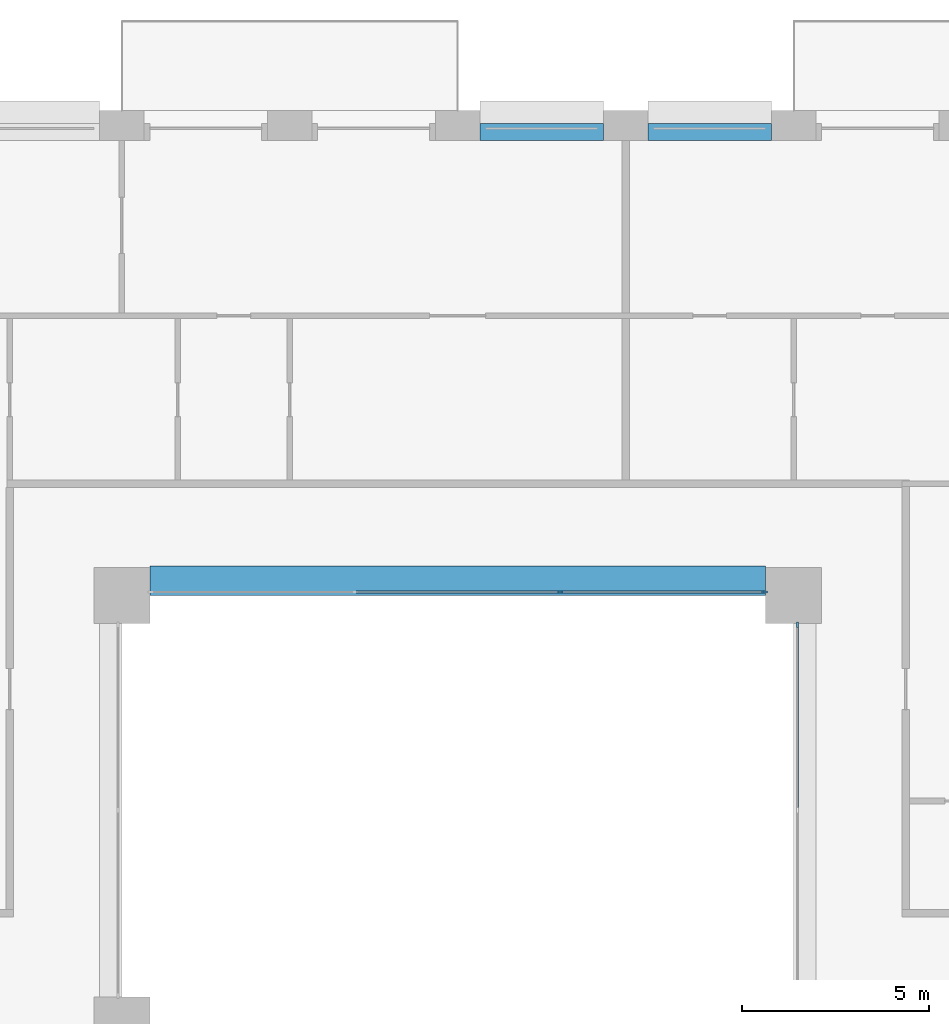
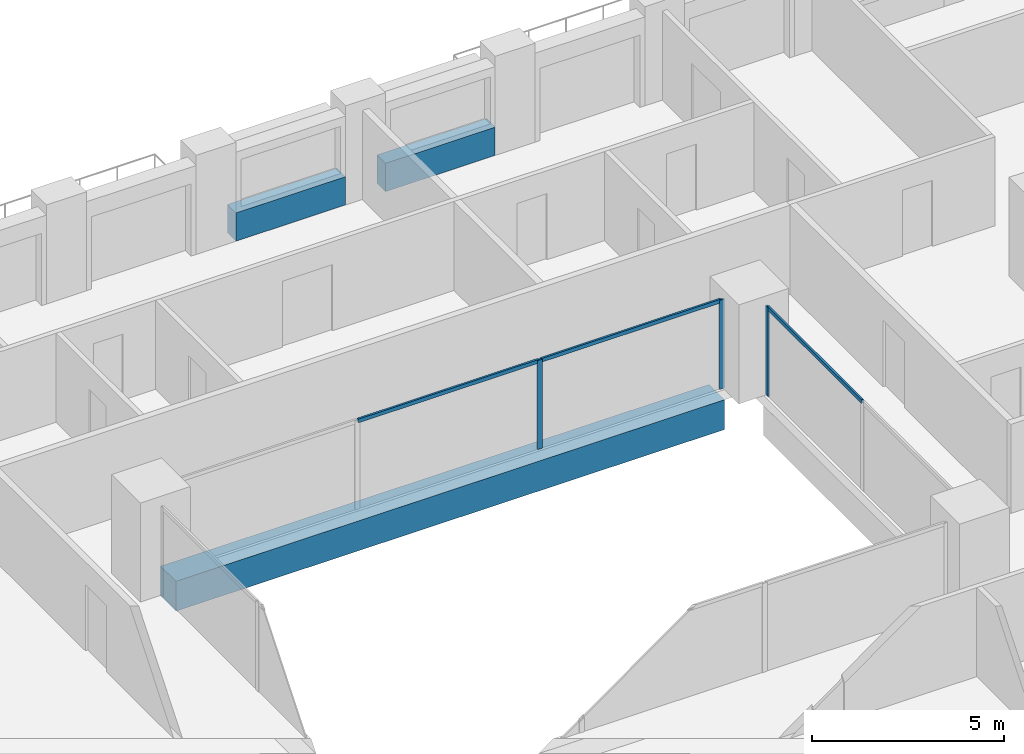
# One storey, part 7 of 19: 6 members, 3 beams, 2 elements without a shape of their own.
"""IFC4 building model written with IfcOpenShell, lengths in metres."""

from ifc_helpers import new_model, si_unit, direction, frame, origin, origin_2d, place, context, subcontext, project, spatial, rectangle, extrude, material, layer, layer_set, material_profile, profile_set, type_object, element, aggregate, save


model = new_model("IFC4")

# Units and contexts
model_context = context("Model", 3, precision=1e-05, world=origin(), true_north=direction((0.0, 1.0)))
body_context = subcontext(model_context, "Body", "Model", "MODEL_VIEW")
ifc_project = project(units=[si_unit("LENGTHUNIT", "METRE"), si_unit("AREAUNIT", "SQUARE_METRE"), si_unit("VOLUMEUNIT", "CUBIC_METRE"), si_unit("PLANEANGLEUNIT", "RADIAN"), si_unit("MASSUNIT", "GRAM", prefix="KILO")], contexts=[model_context])

# Site, building, storey
site_placement = place(None, origin())
site = spatial("IfcSite", under=ifc_project, at=site_placement, CompositionType="ELEMENT")
building_placement = place(site_placement, origin())
building = spatial("IfcBuilding", under=site, at=building_placement, Name="Brigalow Station Residences", CompositionType="ELEMENT")
storey_placement = place(building_placement, frame((0.0, 0.0, 32.10009765625)))
storey = spatial("IfcBuildingStorey", under=building, at=storey_placement, Name="L08", CompositionType="ELEMENT", Elevation=32.10009765625)

# Beam
ifc_material_1 = material(Name="Concrete C65", Category="concrete")
ifc_material_profile_1 = material_profile(ifc_material_1, rectangle(XDim=0.800048828125, YDim=0.949951171875, at=origin_2d()), Name="RC800x950")
ifc_profile_set_1 = profile_set([ifc_material_profile_1], Name="Concrete C65")
beam_type_1 = type_object("IfcBeamType", Name="ATRIUM EDGE GIRDER OVER 13.5 M SPAN 800x950 C65", PredefinedType="BEAM", material=ifc_profile_set_1)
beam_placement = place(storey_placement, frame((27.75, 35.89990234375, -0.795166015625), z_axis=(1.0, 0.0, 0.0), x_axis=(0.0, 1.0, 0.0)))
element("IfcBeam", 1, at=beam_placement, inside=storey, type_object=beam_type_1, Name="ATRIUM EDGE GIRDER D L08", PredefinedType="BEAM", context=body_context, shape_type="SweptSolid", body=[
    extrude(rectangle(XDim=0.800048828125, YDim=0.949951171875, at=origin_2d()), origin(), (0.0, 0.0, 1.0), 16.5),
])

# Curtain wall, member
ifc_material_2 = material(Name="Aluminium", Category="aluminium")
ifc_layer = layer(ifc_material_2, 0.14990234375)
ifc_layer_set = layer_set([ifc_layer], Name="ATRIUM FIRE-RATED GLAZING CURTAIN WALL")
curtain_wall_type = type_object("IfcCurtainWallType", Name="ATRIUM FIRE-RATED GLAZING CURTAIN WALL", PredefinedType="NOTDEFINED", material=ifc_layer_set)
curtain_wall_1_placement = place(storey_placement, origin())
curtain_wall_1 = element("IfcCurtainWall", 2, at=curtain_wall_1_placement, inside=storey, type_object=curtain_wall_type, Name="L08/cw/atrium-E", PredefinedType="NOTDEFINED")
ifc_material_3 = material(Name="Aluminium", Category="aluminium")
ifc_material_profile_2 = material_profile(ifc_material_3, rectangle(XDim=0.06005859375, YDim=0.14990234375, at=origin_2d()), Name="ATRIUM FIRE-RATED GLAZING MULLION 60x150")
ifc_profile_set_2 = profile_set([ifc_material_profile_2], Name="Aluminium")
member_type_1 = type_object("IfcMemberType", Name="ATRIUM FIRE-RATED GLAZING MULLION 60x150", PredefinedType="MULLION", material=ifc_profile_set_2)
member_1_placement = place(storey_placement, frame((45.10009765625, 34.719970703125, 0.0), z_axis=(0.0, 0.0, 1.0), x_axis=(-1.0, 0.0, 0.0)))
member_1 = element("IfcMember", 3, at=member_1_placement, type_object=member_type_1, Name="L08/cw/atrium-E/M02", PredefinedType="MULLION", context=body_context, shape_type="SweptSolid", body=[
    extrude(rectangle(XDim=0.06005859375, YDim=0.14990234375, at=origin_2d()), origin(), (0.0, 0.0, 1.0), 2.829833984375),
])

# Curtain wall, members
curtain_wall_2_placement = place(storey_placement, origin())
curtain_wall_2 = element("IfcCurtainWall", 4, at=curtain_wall_2_placement, inside=storey, type_object=curtain_wall_type, Name="L08/cw/atrium-N", PredefinedType="NOTDEFINED")
member_2_placement = place(storey_placement, frame((44.219970703125, 35.60009765625, 0.0), z_axis=(0.0, 0.0, 1.0), x_axis=(0.0, -1.0, 0.0)))
member_2 = element("IfcMember", 5, at=member_2_placement, type_object=member_type_1, Name="L08/cw/atrium-N/M00", PredefinedType="MULLION", context=body_context, shape_type="SweptSolid", body=[
    extrude(rectangle(XDim=0.06005859375, YDim=0.14990234375, at=origin_2d()), origin(), (0.0, 0.0, 1.0), 2.829833984375),
])
member_3_placement = place(storey_placement, frame((38.75, 35.60009765625, 0.0), z_axis=(0.0, 0.0, 1.0), x_axis=(0.0, -1.0, 0.0)))
member_3 = element("IfcMember", 6, at=member_3_placement, type_object=member_type_1, Name="L08/cw/atrium-N/M01", PredefinedType="MULLION", context=body_context, shape_type="SweptSolid", body=[
    extrude(rectangle(XDim=0.06005859375, YDim=0.14990234375, at=origin_2d()), origin(), (0.0, 0.0, 1.0), 2.829833984375),
])

# Member
ifc_material_4 = material(Name="Aluminium", Category="aluminium")
ifc_material_profile_3 = material_profile(ifc_material_4, rectangle(XDim=0.06005859375, YDim=0.1201171875, at=origin_2d()), Name="ATRIUM FIRE-RATED GLAZING TRANSOM 60x120")
ifc_profile_set_3 = profile_set([ifc_material_profile_3], Name="Aluminium")
member_type_2 = type_object("IfcMemberType", Name="ATRIUM FIRE-RATED GLAZING TRANSOM 60x120", PredefinedType="USERDEFINED", material=ifc_profile_set_3)
member_4_placement = place(storey_placement, frame((45.10009765625, 29.780029296875, 2.7998046875), z_axis=(0.0, 1.0, 0.0), x_axis=(-1.0, 0.0, 0.0)))
member_4 = element("IfcMember", 7, at=member_4_placement, type_object=member_type_2, Name="L08/cw/atrium-E/T01-00", ObjectType="TRANSOM", PredefinedType="USERDEFINED", context=body_context, shape_type="SweptSolid", body=[
    extrude(rectangle(XDim=0.06005859375, YDim=0.1201171875, at=origin_2d()), origin(), (0.0, 0.0, 1.0), 4.909912109375),
])

aggregate(curtain_wall_1, [member_1, member_4])

member_5_placement = place(storey_placement, frame((44.18994140625, 35.60009765625, 2.7998046875), z_axis=(-1.0, 0.0, 0.0), x_axis=(0.0, -1.0, 0.0)))
member_5 = element("IfcMember", 8, at=member_5_placement, type_object=member_type_2, Name="L08/cw/atrium-N/T00-00", ObjectType="TRANSOM", PredefinedType="USERDEFINED", context=body_context, shape_type="SweptSolid", body=[
    extrude(rectangle(XDim=0.06005859375, YDim=0.1201171875, at=origin_2d()), origin(), (0.0, 0.0, 1.0), 5.409912109375),
])

member_6_placement = place(storey_placement, frame((38.719970703125, 35.60009765625, 2.7998046875), z_axis=(-1.0, 0.0, 0.0), x_axis=(0.0, -1.0, 0.0)))
member_6 = element("IfcMember", 9, at=member_6_placement, type_object=member_type_2, Name="L08/cw/atrium-N/T01-00", ObjectType="TRANSOM", PredefinedType="USERDEFINED", context=body_context, shape_type="SweptSolid", body=[
    extrude(rectangle(XDim=0.06005859375, YDim=0.1201171875, at=origin_2d()), origin(), (0.0, 0.0, 1.0), 5.43994140625),
])

aggregate(curtain_wall_2, [member_2, member_3, member_5, member_6])

# Beams
ifc_material_5 = material(Name="Concrete C65", Category="concrete")
ifc_material_profile_4 = material_profile(ifc_material_5, rectangle(XDim=0.449951171875, YDim=0.89990234375, at=origin_2d()), Name="RC450x900")
ifc_profile_set_4 = profile_set([ifc_material_profile_4], Name="Concrete C65")
beam_type_2 = type_object("IfcBeamType", Name="SPANDREL BEAM 450x900 C65", PredefinedType="SPANDREL", material=ifc_profile_set_4)
for number, where, z_axis, x_axis, name in (
    (10, (44.39990234375, 47.925048828125, 0.449951171875), (-1.0, 0.0, 0.0), (0.0, -1.0, 0.0), "L08/spandrel/W-L08-31"),
    (11, (39.89990234375, 47.925048828125, 0.449951171875), (-1.0, 0.0, 0.0), (0.0, -1.0, 0.0), "L08/spandrel/W-L08-32"),
):
    element("IfcBeam", number, at=place(storey_placement, frame(where, z_axis=z_axis, x_axis=x_axis)), inside=storey, type_object=beam_type_2, Name=name, PredefinedType="SPANDREL", context=body_context, shape_type="SweptSolid", body=[
        extrude(rectangle(XDim=0.449951171875, YDim=0.89990234375, at=origin_2d()), origin(), (0.0, 0.0, 1.0), 3.2998046875),
    ])

save(model, "model.ifc")
